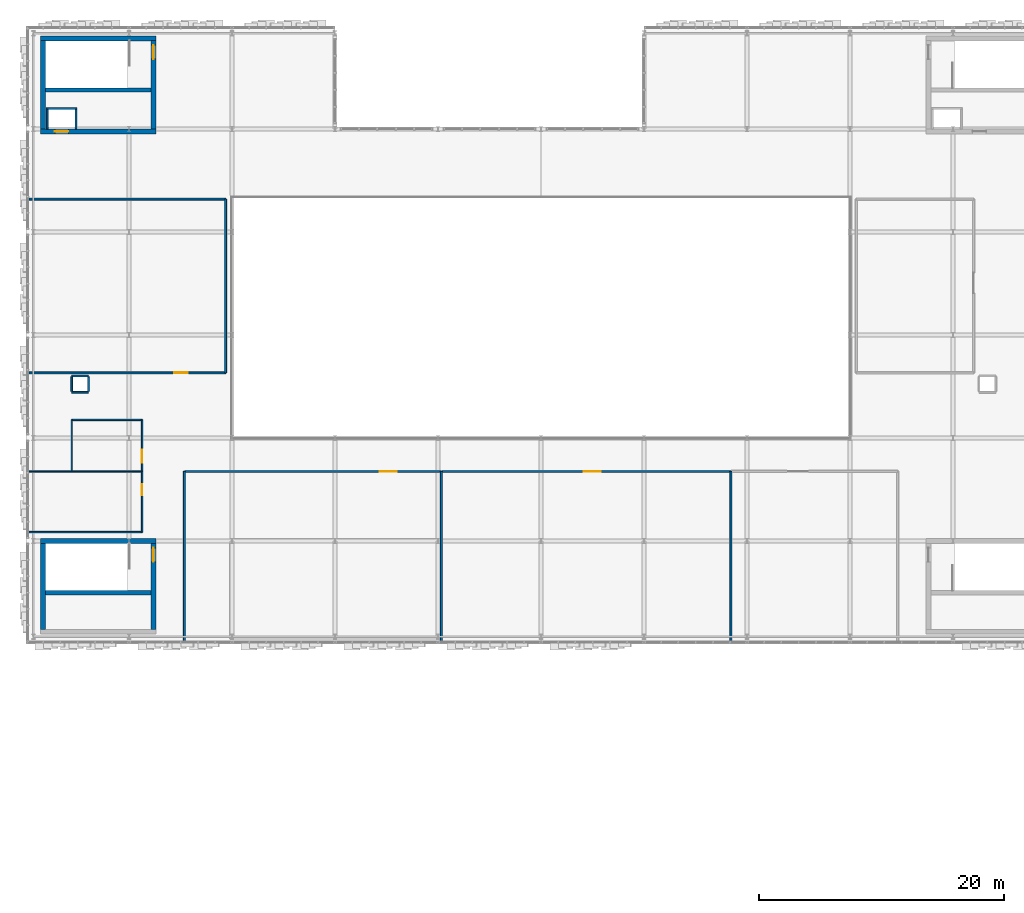
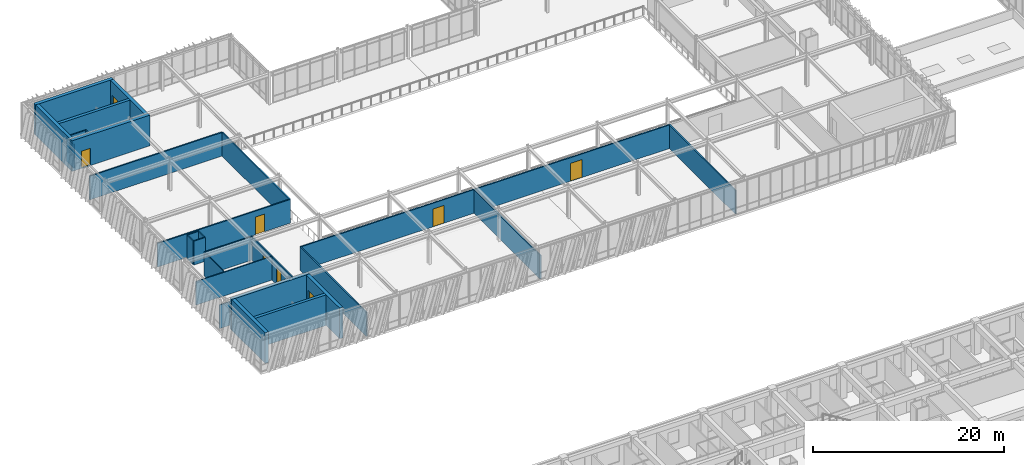
# One storey, part 112 of 123: 30 walls, 8 doors, 8 openings.
"""IFC4 building model written with IfcOpenShell, lengths in metres."""

from ifc_helpers import new_model, si_unit, direction, frame, frame_2d, origin, place, context, subcontext, project, spatial, rectangle, extrude, material, layer, layer_set, type_object, element, fill, save


model = new_model("IFC4")

# Units and contexts
model_context = context("Model", 3, precision=1e-05, world=origin(), true_north=direction((0.0, 1.0)))
body_context = subcontext(model_context, "Body", "Model", "MODEL_VIEW")
ifc_project = project(units=[si_unit("LENGTHUNIT", "METRE"), si_unit("AREAUNIT", "SQUARE_METRE"), si_unit("VOLUMEUNIT", "CUBIC_METRE"), si_unit("PLANEANGLEUNIT", "RADIAN"), si_unit("MASSUNIT", "GRAM", prefix="KILO")], contexts=[model_context])

# Site, building, storey
site_placement = place(None, origin())
site = spatial("IfcSite", under=ifc_project, at=site_placement, CompositionType="ELEMENT")
building_placement = place(site_placement, origin())
building = spatial("IfcBuilding", under=site, at=building_placement, Name="Zayran Congress Hotel", CompositionType="ELEMENT")
storey_placement = place(building_placement, frame((0.0, 0.0, 15.0)))
storey = spatial("IfcBuildingStorey", under=building, at=storey_placement, Name="L03", CompositionType="ELEMENT", Elevation=15.0)

# Wall, opening, door
ifc_material_1 = material(Name="Concrete C40/50", Category="concrete")
ifc_layer_1 = layer(ifc_material_1, 0.39990234375)
ifc_layer_set_1 = layer_set([ifc_layer_1], Name="Concrete C40/50")
wall_type_1 = type_object("IfcWallType", Name="WL-SH-400", PredefinedType="SHEAR", material=ifc_layer_set_1)
wall_1_placement = place(storey_placement, frame((9.60009765625, 109.39990234375, 0.0), z_axis=(0.0, 0.0, 1.0), x_axis=(1.0, 0.0, 0.0)))
wall_1 = element("IfcWall", 1, at=wall_1_placement, inside=storey, type_object=wall_type_1, Name="CWALL-C-V1W-L03-S", PredefinedType="SHEAR", context=body_context, shape_type="SweptSolid", body=[
    extrude(rectangle(XDim=9.39990234375, YDim=0.39990234375, at=frame_2d((4.699951171875, 0.0))), origin(), (0.0, 0.0, 1.0), 3.919921875),
])
opening_1_placement = place(wall_1_placement, frame((1.14990234375, 0.0, 0.0)))
opening_1 = element("IfcOpeningElement", 2, at=opening_1_placement, cuts=wall_1, Name="Opening LD-PL04", PredefinedType="OPENING", context=body_context, shape_type="SweptSolid", body=[
    extrude(rectangle(XDim=1.10009765625, YDim=2.199951171875, at=frame_2d((0.550048828125, 1.10009765625))), frame((0.0, 0.2099609375, 0.0), z_axis=(0.0, -1.0, 0.0), x_axis=(1.0, 0.0, 0.0)), (0.0, 0.0, 1.0), 0.419921875),
])
ifc_material_2 = material(Name="Brushed stainless steel sliding lift landing door", Category="steel")
door_type_1 = type_object("IfcDoorType", Name="TP-DR-LD-01", OperationType="DOUBLE_DOOR_SLIDING", PredefinedType="DOOR", material=ifc_material_2)
door_1_placement = place(opening_1_placement, origin())
door_1 = element("IfcDoor", 3, at=door_1_placement, inside=storey, type_object=door_type_1, Name="Lift PL-04 Sliding Landing Door L03", OperationType="DOUBLE_DOOR_SLIDING", OverallHeight=2.199951171875, OverallWidth=1.10009765625, PredefinedType="DOOR", context=body_context, shape_type="SweptSolid", body=[
    extrude(rectangle(XDim=1.10009765625, YDim=2.199951171875, at=frame_2d((0.550048828125, 1.10009765625))), frame((0.0, 0.02490234375, 0.0), z_axis=(0.0, -1.0, 0.0), x_axis=(1.0, 0.0, 0.0)), (0.0, 0.0, 1.0), 0.050048828125),
])
fill(opening_1, door_1)

# Walls
wall_2_placement = place(storey_placement, frame((19.0, 116.985107421875, 0.0), z_axis=(0.0, 0.0, 1.0), x_axis=(-1.0, 0.0, 0.0)))
element("IfcWall", 4, at=wall_2_placement, inside=storey, type_object=wall_type_1, Name="CWALL-C-V1W-L03-N", PredefinedType="SHEAR", context=body_context, shape_type="SweptSolid", body=[
    extrude(rectangle(XDim=9.39990234375, YDim=0.39990234375, at=frame_2d((4.699951171875, 0.0))), origin(), (0.0, 0.0, 1.0), 3.919921875),
])
wall_3_placement = place(storey_placement, frame((9.800048828125, 116.800048828125, 0.0), z_axis=(0.0, 0.0, 1.0), x_axis=(0.0, -1.0, 0.0)))
element("IfcWall", 5, at=wall_3_placement, inside=storey, type_object=wall_type_1, Name="CWALL-C-V1W-L03-W", PredefinedType="SHEAR", context=body_context, shape_type="SweptSolid", body=[
    extrude(rectangle(XDim=7.199951171875, YDim=0.39990234375, at=frame_2d((3.60009765625, 0.0))), origin(), (0.0, 0.0, 1.0), 3.919921875),
])

# Wall, opening, door
wall_4_placement = place(storey_placement, frame((18.800048828125, 109.60009765625, 0.0), z_axis=(0.0, 0.0, 1.0), x_axis=(0.0, 1.0, 0.0)))
wall_4 = element("IfcWall", 6, at=wall_4_placement, inside=storey, type_object=wall_type_1, Name="CWALL-C-V1W-L03-E", PredefinedType="SHEAR", context=body_context, shape_type="SweptSolid", body=[
    extrude(rectangle(XDim=7.199951171875, YDim=0.39990234375, at=frame_2d((3.60009765625, 0.0))), origin(), (0.0, 0.0, 1.0), 3.919921875),
])
opening_2_placement = place(wall_4_placement, frame((5.699951171875, 0.0, 0.0)))
opening_2 = element("IfcOpeningElement", 7, at=opening_2_placement, cuts=wall_4, Name="Opening DR-FD-90", PredefinedType="OPENING", context=body_context, shape_type="SweptSolid", body=[
    extrude(rectangle(XDim=1.14990234375, YDim=2.199951171875, at=frame_2d((0.574951171875, 1.10009765625))), frame((0.0, 0.2099609375, 0.0), z_axis=(0.0, -1.0, 0.0), x_axis=(1.0, 0.0, 0.0)), (0.0, 0.0, 1.0), 0.419921875),
])
ifc_material_3 = material(Name="Painted steel fire door assembly", Category="steel")
door_type_2 = type_object("IfcDoorType", Name="TP-DR-FD-90", OperationType="NOTDEFINED", PredefinedType="DOOR", material=ifc_material_3)
door_2_placement = place(opening_2_placement, origin())
door_2 = element("IfcDoor", 8, at=door_2_placement, inside=storey, type_object=door_type_2, Name="ST-03 Exit Stair Door L03", OperationType="SINGLE_SWING_RIGHT", OverallHeight=2.199951171875, OverallWidth=1.14990234375, PredefinedType="DOOR", context=body_context, shape_type="SweptSolid", body=[
    extrude(rectangle(XDim=1.14990234375, YDim=2.199951171875, at=frame_2d((0.574951171875, 1.10009765625))), frame((0.0, 0.02490234375, 0.0), z_axis=(0.0, -1.0, 0.0), x_axis=(1.0, 0.0, 0.0)), (0.0, 0.0, 1.0), 0.050048828125),
])
fill(opening_2, door_2)

# Walls
wall_5_placement = place(storey_placement, frame((19.0, 75.985107421875, 0.0), z_axis=(0.0, 0.0, 1.0), x_axis=(-1.0, 0.0, 0.0)))
element("IfcWall", 9, at=wall_5_placement, inside=storey, type_object=wall_type_1, Name="CWALL-C-V1S-L03-N", PredefinedType="SHEAR", context=body_context, shape_type="SweptSolid", body=[
    extrude(rectangle(XDim=9.39990234375, YDim=0.39990234375, at=frame_2d((4.699951171875, 0.0))), origin(), (0.0, 0.0, 1.0), 3.919921875),
])
wall_6_placement = place(storey_placement, frame((9.800048828125, 75.800048828125, 0.0), z_axis=(0.0, 0.0, 1.0), x_axis=(0.0, -1.0, 0.0)))
element("IfcWall", 10, at=wall_6_placement, inside=storey, type_object=wall_type_1, Name="CWALL-C-V1S-L03-W", PredefinedType="SHEAR", context=body_context, shape_type="SweptSolid", body=[
    extrude(rectangle(XDim=7.0, YDim=0.39990234375, at=frame_2d((3.5, 0.0))), origin(), (0.0, 0.0, 1.0), 3.919921875),
])

# Wall, opening, door
wall_7_placement = place(storey_placement, frame((18.800048828125, 68.800048828125, 0.0), z_axis=(0.0, 0.0, 1.0), x_axis=(0.0, 1.0, 0.0)))
wall_7 = element("IfcWall", 11, at=wall_7_placement, inside=storey, type_object=wall_type_1, Name="CWALL-C-V1S-L03-E", PredefinedType="SHEAR", context=body_context, shape_type="SweptSolid", body=[
    extrude(rectangle(XDim=7.0, YDim=0.39990234375, at=frame_2d((3.5, 0.0))), origin(), (0.0, 0.0, 1.0), 3.919921875),
])
opening_3_placement = place(wall_7_placement, frame((5.5, 0.0, 0.0)))
opening_3 = element("IfcOpeningElement", 12, at=opening_3_placement, cuts=wall_7, Name="Opening DR-FD-90", PredefinedType="OPENING", context=body_context, shape_type="SweptSolid", body=[
    extrude(rectangle(XDim=1.14990234375, YDim=2.199951171875, at=frame_2d((0.574951171875, 1.10009765625))), frame((0.0, 0.2099609375, 0.0), z_axis=(0.0, -1.0, 0.0), x_axis=(1.0, 0.0, 0.0)), (0.0, 0.0, 1.0), 0.419921875),
])
door_3_placement = place(opening_3_placement, origin())
door_3 = element("IfcDoor", 13, at=door_3_placement, inside=storey, type_object=door_type_2, Name="ST-05 Exit Stair Door L03", OperationType="SINGLE_SWING_LEFT", OverallHeight=2.199951171875, OverallWidth=1.14990234375, PredefinedType="DOOR", context=body_context, shape_type="SweptSolid", body=[
    extrude(rectangle(XDim=1.14990234375, YDim=2.199951171875, at=frame_2d((0.574951171875, 1.10009765625))), frame((0.0, 0.02490234375, 0.0), z_axis=(0.0, -1.0, 0.0), x_axis=(1.0, 0.0, 0.0)), (0.0, 0.0, 1.0), 0.050048828125),
])
fill(opening_3, door_3)

# Walls
ifc_layer_2 = layer(ifc_material_1, 0.35009765625)
ifc_layer_set_2 = layer_set([ifc_layer_2], Name="Concrete C40/50")
wall_type_2 = type_object("IfcWallType", Name="WL-SH-350", PredefinedType="SHEAR", material=ifc_layer_set_2)
for number, where, z_axis, x_axis, name in (
    (14, (10.0, 112.784912109375, 0.0), (0.0, 0.0, 1.0), (1.0, 0.0, 0.0), "CWALL-C-V1W-L03-SPN"),
    (15, (10.0, 71.784912109375, 0.0), (0.0, 0.0, 1.0), (1.0, 0.0, 0.0), "CWALL-C-V1S-L03-SPN"),
):
    element("IfcWall", number, at=place(storey_placement, frame(where, z_axis=z_axis, x_axis=x_axis)), inside=storey, type_object=wall_type_2, Name=name, PredefinedType="SHEAR", context=body_context, shape_type="SweptSolid", body=[
        extrude(rectangle(XDim=8.60009765625, YDim=0.35009765625, at=frame_2d((4.300048828125, 0.0))), origin(), (0.0, 0.0, 1.0), 3.919921875),
    ])

# Wall, opening, door
ifc_material_4 = material(Name="Acoustic twin-stud gypsum partition", Category="gypsum")
ifc_layer_3 = layer(ifc_material_4, 0.159912109375)
ifc_layer_set_3 = layer_set([ifc_layer_3], Name="Acoustic twin-stud gypsum partition")
wall_type_3 = type_object("IfcWallType", Name="WL-PT-160", PredefinedType="PARTITIONING", material=ifc_layer_set_3)
wall_8_placement = place(storey_placement, frame((21.320068359375, 81.679931640625, 0.0), z_axis=(0.0, 0.0, 1.0), x_axis=(1.0, 0.0, 0.0)))
wall_8 = element("IfcWall", 16, at=wall_8_placement, inside=storey, type_object=wall_type_3, Name="IW-L03-0556", PredefinedType="PARTITIONING", context=body_context, shape_type="SweptSolid", body=[
    extrude(rectangle(XDim=20.9599609375, YDim=0.159912109375, at=frame_2d((10.47998046875, 0.0))), origin(), (0.0, 0.0, 1.0), 3.02001953125),
])
opening_4_placement = place(wall_8_placement, frame((15.9208984375, 0.0, 0.0)))
opening_4 = element("IfcOpeningElement", 17, at=opening_4_placement, cuts=wall_8, Name="Opening DR-MT-03", PredefinedType="OPENING", context=body_context, shape_type="SweptSolid", body=[
    extrude(rectangle(XDim=1.3798828125, YDim=2.280029296875, at=frame_2d((0.68994140625, 1.14013671875))), frame((0.0, 0.08984375, 0.0), z_axis=(0.0, -1.0, 0.0), x_axis=(1.0, 0.0, 0.0)), (0.0, 0.0, 1.0), 0.179931640625),
])
ifc_material_5 = material(Name="Double caucus salon door", Category="steel")
door_type_3 = type_object("IfcDoorType", Name="TP-DR-MT-03", OperationType="DOUBLE_DOOR_SINGLE_SWING", PredefinedType="DOOR", material=ifc_material_5)
door_4_placement = place(opening_4_placement, origin())
door_4 = element("IfcDoor", 18, at=door_4_placement, inside=storey, type_object=door_type_3, Name="Summit Caucus Suite A Door", OperationType="DOUBLE_DOOR_SINGLE_SWING", OverallHeight=2.280029296875, OverallWidth=1.3798828125, PredefinedType="DOOR", context=body_context, shape_type="SweptSolid", body=[
    extrude(rectangle(XDim=1.3798828125, YDim=2.280029296875, at=frame_2d((0.68994140625, 1.14013671875))), frame((0.0, 0.02490234375, 0.0), z_axis=(0.0, -1.0, 0.0), x_axis=(1.0, 0.0, 0.0)), (0.0, 0.0, 1.0), 0.050048828125),
])
fill(opening_4, door_4)

wall_9_placement = place(storey_placement, frame((42.320068359375, 81.679931640625, 0.0), z_axis=(0.0, 0.0, 1.0), x_axis=(1.0, 0.0, 0.0)))
wall_9 = element("IfcWall", 19, at=wall_9_placement, inside=storey, type_object=wall_type_3, Name="IW-L03-0557", PredefinedType="PARTITIONING", context=body_context, shape_type="SweptSolid", body=[
    extrude(rectangle(XDim=23.559814453125, YDim=0.159912109375, at=frame_2d((11.77978515625, 0.0))), origin(), (0.0, 0.0, 1.0), 3.02001953125),
])
opening_5_placement = place(wall_9_placement, frame((11.575927734375, 0.0, 0.0)))
opening_5 = element("IfcOpeningElement", 20, at=opening_5_placement, cuts=wall_9, Name="Opening DR-MT-03", PredefinedType="OPENING", context=body_context, shape_type="SweptSolid", body=[
    extrude(rectangle(XDim=1.3798828125, YDim=2.280029296875, at=frame_2d((0.68994140625, 1.14013671875))), frame((0.0, 0.08984375, 0.0), z_axis=(0.0, -1.0, 0.0), x_axis=(1.0, 0.0, 0.0)), (0.0, 0.0, 1.0), 0.179931640625),
])
door_5_placement = place(opening_5_placement, origin())
door_5 = element("IfcDoor", 21, at=door_5_placement, inside=storey, type_object=door_type_3, Name="Summit Caucus Suite B Door", OperationType="DOUBLE_DOOR_SINGLE_SWING", OverallHeight=2.280029296875, OverallWidth=1.3798828125, PredefinedType="DOOR", context=body_context, shape_type="SweptSolid", body=[
    extrude(rectangle(XDim=1.3798828125, YDim=2.280029296875, at=frame_2d((0.68994140625, 1.14013671875))), frame((0.0, 0.02490234375, 0.0), z_axis=(0.0, -1.0, 0.0), x_axis=(1.0, 0.0, 0.0)), (0.0, 0.0, 1.0), 0.050048828125),
])
fill(opening_5, door_5)

wall_10_placement = place(storey_placement, frame((8.639892578125, 89.719970703125, 0.0), z_axis=(0.0, 0.0, 1.0), x_axis=(1.0, 0.0, 0.0)))
wall_10 = element("IfcWall", 22, at=wall_10_placement, inside=storey, type_object=wall_type_3, Name="IW-L03-0559", PredefinedType="PARTITIONING", context=body_context, shape_type="SweptSolid", body=[
    extrude(rectangle(XDim=16.0400390625, YDim=0.159912109375, at=frame_2d((8.02001953125, 0.0))), origin(), (0.0, 0.0, 1.0), 3.02001953125),
])
opening_6_placement = place(wall_10_placement, frame((11.85888671875, 0.0, 0.0)))
opening_6 = element("IfcOpeningElement", 23, at=opening_6_placement, cuts=wall_10, Name="Opening DR-MT-01", PredefinedType="OPENING", context=body_context, shape_type="SweptSolid", body=[
    extrude(rectangle(XDim=1.080078125, YDim=2.25, at=frame_2d((0.5400390625, 1.125))), frame((0.0, 0.08984375, 0.0), z_axis=(0.0, -1.0, 0.0), x_axis=(1.0, 0.0, 0.0)), (0.0, 0.0, 1.0), 0.179931640625),
])
ifc_material_6 = material(Name="Acoustic timber seminar room door", Category="wood")
door_type_4 = type_object("IfcDoorType", Name="TP-DR-MT-01", OperationType="NOTDEFINED", PredefinedType="DOOR", material=ifc_material_6)
door_6_placement = place(opening_6_placement, origin())
door_6 = element("IfcDoor", 24, at=door_6_placement, inside=storey, type_object=door_type_4, Name="Summit Press Gallery West L03 Door", OperationType="SINGLE_SWING_LEFT", OverallHeight=2.25, OverallWidth=1.080078125, PredefinedType="DOOR", context=body_context, shape_type="SweptSolid", body=[
    extrude(rectangle(XDim=1.080078125, YDim=2.25, at=frame_2d((0.5400390625, 1.125))), frame((0.0, 0.02490234375, 0.0), z_axis=(0.0, -1.0, 0.0), x_axis=(1.0, 0.0, 0.0)), (0.0, 0.0, 1.0), 0.050048828125),
])
fill(opening_6, door_6)

# Walls
for number, where, z_axis, x_axis, name in (
    (25, (21.320068359375, 67.77001953125, 0.0), (0.0, 0.0, 1.0), (0.0, 1.0, 0.0), "IW-L03-1870"),
    (26, (42.280029296875, 67.77001953125, 0.0), (0.0, 0.0, 1.0), (0.0, 1.0, 0.0), "IW-L03-1871"),
    (27, (65.8798828125, 67.77001953125, 0.0), (0.0, 0.0, 1.0), (0.0, 1.0, 0.0), "IW-L03-1872"),
):
    element("IfcWall", number, at=place(storey_placement, frame(where, z_axis=z_axis, x_axis=x_axis)), inside=storey, type_object=wall_type_3, Name=name, PredefinedType="PARTITIONING", context=body_context, shape_type="SweptSolid", body=[
        extrude(rectangle(XDim=13.909912109375, YDim=0.159912109375, at=frame_2d((6.955078125, 0.0))), origin(), (0.0, 0.0, 1.0), 3.02001953125),
    ])
wall_11_placement = place(storey_placement, frame((8.639892578125, 103.8798828125, 0.0), z_axis=(0.0, 0.0, 1.0), x_axis=(1.0, 0.0, 0.0)))
element("IfcWall", 28, at=wall_11_placement, inside=storey, type_object=wall_type_3, Name="IW-L03-1874", PredefinedType="PARTITIONING", context=body_context, shape_type="SweptSolid", body=[
    extrude(rectangle(XDim=16.0400390625, YDim=0.159912109375, at=frame_2d((8.02001953125, 0.0))), origin(), (0.0, 0.0, 1.0), 3.02001953125),
])
wall_12_placement = place(storey_placement, frame((24.679931640625, 89.719970703125, 0.0), z_axis=(0.0, 0.0, 1.0), x_axis=(0.0, 1.0, 0.0)))
element("IfcWall", 29, at=wall_12_placement, inside=storey, type_object=wall_type_3, Name="IW-L03-1875", PredefinedType="PARTITIONING", context=body_context, shape_type="SweptSolid", body=[
    extrude(rectangle(XDim=14.159912109375, YDim=0.159912109375, at=frame_2d((7.080078125, 0.0))), origin(), (0.0, 0.0, 1.0), 3.02001953125),
])
ifc_material_7 = material(Name="Hospitality guestroom acoustic partition", Category="gypsum")
ifc_layer_4 = layer(ifc_material_7, 0.139892578125)
ifc_layer_set_4 = layer_set([ifc_layer_4], Name="Hospitality guestroom acoustic partition")
wall_type_4 = type_object("IfcWallType", Name="WL-PT-140", PredefinedType="PARTITIONING", material=ifc_layer_set_4)
for number, where, z_axis, x_axis, name in (
    (30, (10.1298828125, 109.60009765625, 0.0), (0.0, 0.0, 1.0), (0.0, 1.0, 0.0), "LSHW-C-V1W-L03-W"),
    (31, (12.469970703125, 109.60009765625, 0.0), (0.0, 0.0, 1.0), (0.0, 1.0, 0.0), "LSHW-C-V1W-L03-E"),
):
    element("IfcWall", number, at=place(storey_placement, frame(where, z_axis=z_axis, x_axis=x_axis)), inside=storey, type_object=wall_type_4, Name=name, PredefinedType="PARTITIONING", context=body_context, shape_type="SweptSolid", body=[
        extrude(rectangle(XDim=1.599853515625, YDim=0.139892578125, at=frame_2d((0.7998046875, 0.0))), origin(), (0.0, 0.0, 1.0), 3.070068359375),
    ])
wall_13_placement = place(storey_placement, frame((10.06005859375, 111.27001953125, 0.0), z_axis=(0.0, 0.0, 1.0), x_axis=(1.0, 0.0, 0.0)))
element("IfcWall", 32, at=wall_13_placement, inside=storey, type_object=wall_type_4, Name="LSHW-C-V1W-L03-N", PredefinedType="PARTITIONING", context=body_context, shape_type="SweptSolid", body=[
    extrude(rectangle(XDim=2.47998046875, YDim=0.139892578125, at=frame_2d((1.239990234375, 0.0))), origin(), (0.0, 0.0, 1.0), 3.070068359375),
])
for number, where, z_axis, x_axis, name in (
    (33, (12.1298828125, 88.1298828125, 0.0), (0.0, 0.0, 1.0), (1.0, 0.0, 0.0), "RSWL-V1-L03-007-S"),
    (34, (13.489990234375, 89.449951171875, 0.0), (0.0, 0.0, 1.0), (-1.0, 0.0, 0.0), "RSWL-V1-L03-007-N"),
):
    element("IfcWall", number, at=place(storey_placement, frame(where, z_axis=z_axis, x_axis=x_axis)), inside=storey, type_object=wall_type_4, Name=name, PredefinedType="PARTITIONING", context=body_context, shape_type="SweptSolid", body=[
        extrude(rectangle(XDim=1.360107421875, YDim=0.139892578125, at=frame_2d((0.68017578125, 0.0))), origin(), (0.0, 0.0, 1.0), 3.0400390625),
    ])
for number, where, z_axis, x_axis, name in (
    (35, (12.1298828125, 89.3798828125, 0.0), (0.0, 0.0, 1.0), (0.0, -1.0, 0.0), "RSWL-V1-L03-007-W"),
    (36, (13.489990234375, 88.199951171875, 0.0), (0.0, 0.0, 1.0), (0.0, 1.0, 0.0), "RSWL-V1-L03-007-E"),
):
    element("IfcWall", number, at=place(storey_placement, frame(where, z_axis=z_axis, x_axis=x_axis)), inside=storey, type_object=wall_type_4, Name=name, PredefinedType="PARTITIONING", context=body_context, shape_type="SweptSolid", body=[
        extrude(rectangle(XDim=1.179931640625, YDim=0.139892578125, at=frame_2d((0.58984375, 0.0))), origin(), (0.0, 0.0, 1.0), 3.0400390625),
    ])

# Wall, opening, door
ifc_material_8 = material(Name="Moisture-resistant bathroom partition", Category="gypsum")
ifc_layer_5 = layer(ifc_material_8, 0.1201171875)
ifc_layer_set_5 = layer_set([ifc_layer_5], Name="Moisture-resistant bathroom partition")
wall_type_5 = type_object("IfcWallType", Name="WL-PT-120", PredefinedType="PARTITIONING", material=ifc_layer_set_5)
wall_14_placement = place(storey_placement, frame((17.8701171875, 76.719970703125, 0.0), z_axis=(0.0, 0.0, 1.0), x_axis=(0.0, 1.0, 0.0)))
wall_14 = element("IfcWall", 37, at=wall_14_placement, inside=storey, type_object=wall_type_5, Name="IW-L03-0359", PredefinedType="PARTITIONING", context=body_context, shape_type="SweptSolid", body=[
    extrude(rectangle(XDim=4.9599609375, YDim=0.1201171875, at=frame_2d((2.47998046875, 0.0))), origin(), (0.0, 0.0, 1.0), 3.02001953125),
])
opening_7_placement = place(wall_14_placement, frame((3.006103515625, 0.0, 0.0)))
opening_7 = element("IfcOpeningElement", 38, at=opening_7_placement, cuts=wall_14, Name="Opening DR-WC-01", PredefinedType="OPENING", context=body_context, shape_type="SweptSolid", body=[
    extrude(rectangle(XDim=0.919921875, YDim=2.14990234375, at=frame_2d((0.4599609375, 1.074951171875))), frame((0.0, 0.070068359375, 0.0), z_axis=(0.0, -1.0, 0.0), x_axis=(1.0, 0.0, 0.0)), (0.0, 0.0, 1.0), 0.14013671875),
])
ifc_material_9 = material(Name="Laminated timber public washroom door", Category="wood")
door_type_5 = type_object("IfcDoorType", Name="TP-DR-WC-01", OperationType="NOTDEFINED", PredefinedType="DOOR", material=ifc_material_9)
door_7_placement = place(opening_7_placement, origin())
door_7 = element("IfcDoor", 39, at=door_7_placement, inside=storey, type_object=door_type_5, Name="Public WC L03 Congress Door", OperationType="SINGLE_SWING_RIGHT", OverallHeight=2.14990234375, OverallWidth=0.919921875, PredefinedType="DOOR", context=body_context, shape_type="SweptSolid", body=[
    extrude(rectangle(XDim=0.919921875, YDim=2.14990234375, at=frame_2d((0.4599609375, 1.074951171875))), frame((0.0, 0.02490234375, 0.0), z_axis=(0.0, -1.0, 0.0), x_axis=(1.0, 0.0, 0.0)), (0.0, 0.0, 1.0), 0.050048828125),
])
fill(opening_7, door_7)

wall_15_placement = place(storey_placement, frame((17.8701171875, 81.719970703125, 0.0), z_axis=(0.0, 0.0, 1.0), x_axis=(0.0, 1.0, 0.0)))
wall_15 = element("IfcWall", 40, at=wall_15_placement, inside=storey, type_object=wall_type_5, Name="IW-L03-0360", PredefinedType="PARTITIONING", context=body_context, shape_type="SweptSolid", body=[
    extrude(rectangle(XDim=4.159912109375, YDim=0.1201171875, at=frame_2d((2.080078125, 0.0))), origin(), (0.0, 0.0, 1.0), 3.02001953125),
])
opening_8_placement = place(wall_15_placement, frame((0.679931640625, 0.0, 0.0)))
opening_8 = element("IfcOpeningElement", 41, at=opening_8_placement, cuts=wall_15, Name="Opening DR-WC-02", PredefinedType="OPENING", context=body_context, shape_type="SweptSolid", body=[
    extrude(rectangle(XDim=1.0400390625, YDim=2.14990234375, at=frame_2d((0.52001953125, 1.074951171875))), frame((0.0, 0.070068359375, 0.0), z_axis=(0.0, -1.0, 0.0), x_axis=(1.0, 0.0, 0.0)), (0.0, 0.0, 1.0), 0.14013671875),
])
ifc_material_10 = material(Name="Accessible public washroom door", Category="steel")
door_type_6 = type_object("IfcDoorType", Name="TP-DR-WC-02", OperationType="NOTDEFINED", PredefinedType="DOOR", material=ifc_material_10)
door_8_placement = place(opening_8_placement, origin())
door_8 = element("IfcDoor", 42, at=door_8_placement, inside=storey, type_object=door_type_6, Name="Accessible WC L03 Congress Door", OperationType="SINGLE_SWING_LEFT", OverallHeight=2.14990234375, OverallWidth=1.0400390625, PredefinedType="DOOR", context=body_context, shape_type="SweptSolid", body=[
    extrude(rectangle(XDim=1.0400390625, YDim=2.14990234375, at=frame_2d((0.52001953125, 1.074951171875))), frame((0.0, 0.02490234375, 0.0), z_axis=(0.0, -1.0, 0.0), x_axis=(1.0, 0.0, 0.0)), (0.0, 0.0, 1.0), 0.050048828125),
])
fill(opening_8, door_8)

# Walls
for number, where, z_axis, x_axis, name in (
    (43, (8.639892578125, 76.72998046875, 0.0), (0.0, 0.0, 1.0), (1.0, 0.0, 0.0), "IW-L03-1583"),
    (44, (8.639892578125, 81.669921875, 0.0), (0.0, 0.0, 1.0), (1.0, 0.0, 0.0), "IW-L03-1584"),
):
    element("IfcWall", number, at=place(storey_placement, frame(where, z_axis=z_axis, x_axis=x_axis)), inside=storey, type_object=wall_type_5, Name=name, PredefinedType="PARTITIONING", context=body_context, shape_type="SweptSolid", body=[
        extrude(rectangle(XDim=9.239990234375, YDim=0.1201171875, at=frame_2d((4.6201171875, 0.0))), origin(), (0.0, 0.0, 1.0), 3.02001953125),
    ])
wall_16_placement = place(storey_placement, frame((12.1201171875, 85.8701171875, 0.0), z_axis=(0.0, 0.0, 1.0), x_axis=(1.0, 0.0, 0.0)))
element("IfcWall", 45, at=wall_16_placement, inside=storey, type_object=wall_type_5, Name="IW-L03-1585", PredefinedType="PARTITIONING", context=body_context, shape_type="SweptSolid", body=[
    extrude(rectangle(XDim=5.759765625, YDim=0.1201171875, at=frame_2d((2.8798828125, 0.0))), origin(), (0.0, 0.0, 1.0), 3.02001953125),
])
wall_17_placement = place(storey_placement, frame((12.1298828125, 81.719970703125, 0.0), z_axis=(0.0, 0.0, 1.0), x_axis=(0.0, 1.0, 0.0)))
element("IfcWall", 46, at=wall_17_placement, inside=storey, type_object=wall_type_5, Name="IW-L03-1586", PredefinedType="PARTITIONING", context=body_context, shape_type="SweptSolid", body=[
    extrude(rectangle(XDim=4.159912109375, YDim=0.1201171875, at=frame_2d((2.080078125, 0.0))), origin(), (0.0, 0.0, 1.0), 3.02001953125),
])

save(model, "model.ifc")
